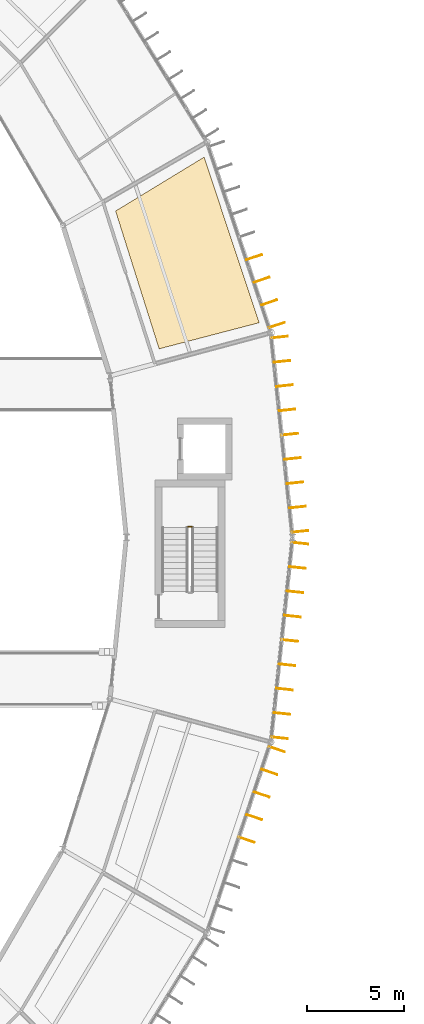
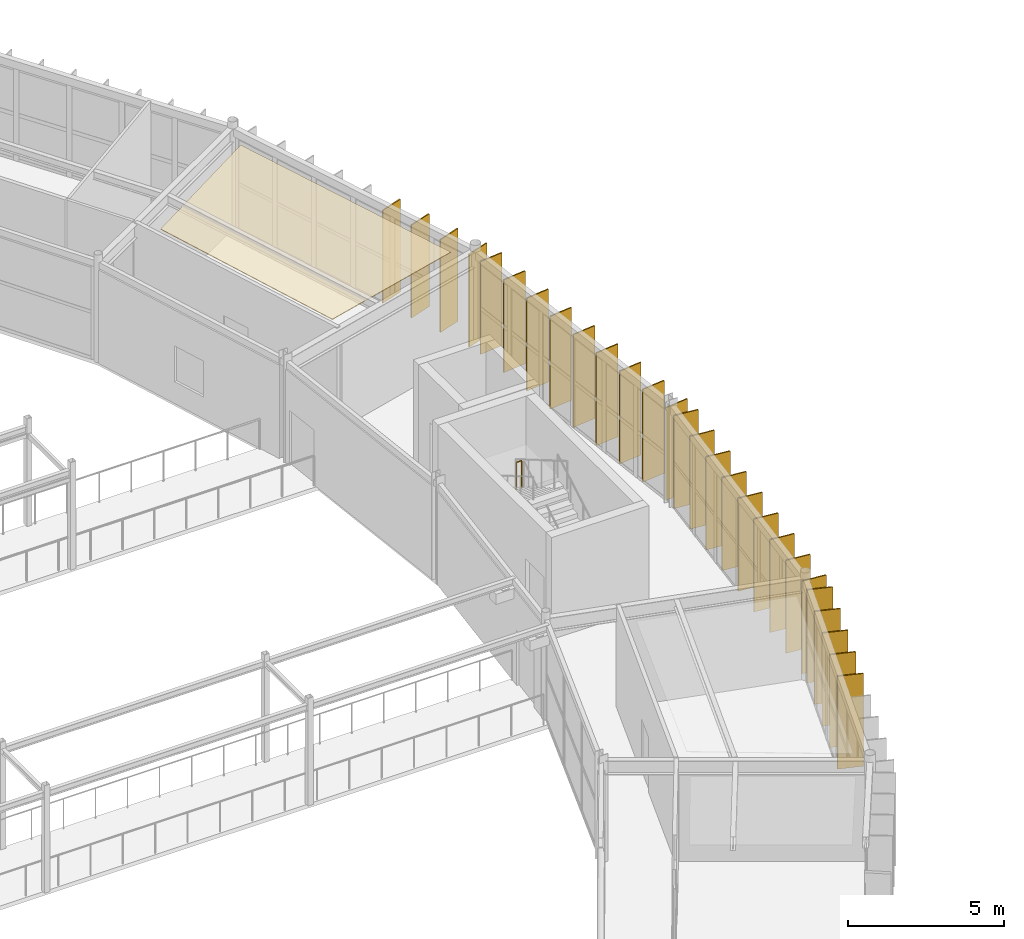
# One storey, part 142 of 148: 27 shading devices, 1 covering, 1 railing.
"""IFC4 building model written with IfcOpenShell, lengths in metres."""

import ifcopenshell
import ifcopenshell.guid

model = None  # the IFC model being written
_history = None  # IfcOwnerHistory: only IFC2X3 demands one
_inside = {}  # id of a spatial element -> (the spatial element, [elements in it])
_under = {}  # id of a project, library or spatial element -> (it, [spatial elements below it])
_declared = {}  # id of a project -> (the project, [libraries it declares])
_typed = {}  # id of a type object -> (the type object, [elements of that type])
_made_of = {}  # id of a material, layer set ... -> (it, [elements and type objects made of it])


def new_model(schema):
    """Start an empty IFC model of exactly this schema.

    Asked for "IFC4X3", IfcOpenShell would pick the latest addendum, in which some entities
    have other attributes; the version numbers below select the first issue.
    IFC2X3 requires an IfcOwnerHistory on every rooted entity: one is made here for all.
    """
    global model, _history
    if schema == "IFC4X3":
        model = ifcopenshell.file(schema_version=(4, 3, 0, 0))
    else:
        model = ifcopenshell.file(schema=schema)
    _inside.clear()
    _under.clear()
    _declared.clear()
    _typed.clear()
    _made_of.clear()
    _history = None
    if model.schema == "IFC2X3":
        org = make("IfcOrganization", Name="unknown")
        user = make(
            "IfcPersonAndOrganization",
            ThePerson=make("IfcPerson", FamilyName="unknown"),
            TheOrganization=org,
        )
        app = make(
            "IfcApplication",
            ApplicationDeveloper=org,
            Version="unknown",
            ApplicationFullName="unknown",
            ApplicationIdentifier="unknown",
        )
        _history = make(
            "IfcOwnerHistory",
            OwningUser=user,
            OwningApplication=app,
            ChangeAction="ADDED",
            CreationDate=0,
        )
    return model


def make(cls, **values):
    """One entity of the class cls with the attributes given. An attribute that is None is left unset."""
    return model.create_entity(
        cls, **{name: value for name, value in values.items() if value is not None}
    )


def rooted(cls, **values):
    """An entity with a GlobalId (a new one), such as an element, a storey or a relation."""
    return make(cls, GlobalId=ifcopenshell.guid.new(), OwnerHistory=_history, **values)


def si_unit(unit_type, name, prefix=None):
    """IfcSIUnit, for example si_unit("LENGTHUNIT", "METRE", prefix="MILLI")."""
    return make("IfcSIUnit", UnitType=unit_type, Prefix=prefix, Name=name)


def assignment(units):
    """IfcUnitAssignment: the units of a project."""
    return None if units is None else make("IfcUnitAssignment", Units=units)


def point(xyz):
    """IfcCartesianPoint."""
    return None if xyz is None else make("IfcCartesianPoint", Coordinates=xyz)


def direction(xyz):
    """IfcDirection."""
    return None if xyz is None else make("IfcDirection", DirectionRatios=xyz)


def frame(location, z_axis=None, x_axis=None):
    """IfcAxis2Placement3D, a coordinate frame: its origin and axes. An axis left out is left unset."""
    return make(
        "IfcAxis2Placement3D",
        Location=point(location),
        Axis=direction(z_axis),
        RefDirection=direction(x_axis),
    )


def frame_2d(location, x_axis=None):
    """IfcAxis2Placement2D, a coordinate frame in the plane: its origin and x axis."""
    return make(
        "IfcAxis2Placement2D", Location=point(location), RefDirection=direction(x_axis)
    )


def origin():
    """The frame at (0, 0, 0) with its axes left unset."""
    return frame((0.0, 0.0, 0.0))


def origin_2d():
    """The frame at (0, 0) in the plane with its x axis left unset."""
    return frame_2d((0.0, 0.0))


def place(relative_to, where):
    """IfcLocalPlacement: puts the frame where relative to a parent placement (None: the world)."""
    return make(
        "IfcLocalPlacement", PlacementRelTo=relative_to, RelativePlacement=where
    )


def context(
    kind, dimensions, precision=None, world=None, true_north=None, identifier=None
):
    """IfcGeometricRepresentationContext, for example the 3D "Model" context."""
    return make(
        "IfcGeometricRepresentationContext",
        ContextIdentifier=identifier,
        ContextType=kind,
        CoordinateSpaceDimension=dimensions,
        Precision=precision,
        WorldCoordinateSystem=world,
        TrueNorth=true_north,
    )


def subcontext(parent, identifier, kind, view, scale=None):
    """IfcGeometricRepresentationSubContext, for example "Body" below "Model"."""
    return make(
        "IfcGeometricRepresentationSubContext",
        ContextIdentifier=identifier,
        ContextType=kind,
        ParentContext=parent,
        TargetScale=scale,
        TargetView=view,
    )


def project(units=None, contexts=None):
    """IfcProject with its units and contexts."""
    return rooted(
        "IfcProject",
        Name="project",
        RepresentationContexts=contexts,
        UnitsInContext=assignment(units),
    )


def spatial(cls, under=None, at=None, **own):
    """A site, building, storey or space (cls), placed at a placement, below another one or the project."""
    s = rooted(cls, ObjectPlacement=at, **own)
    if under is not None:
        _under.setdefault(under.id(), (under, []))[1].append(s)
    return s


def polyline(points):
    """IfcPolyline through the points."""
    return make("IfcPolyline", Points=[point(p) for p in points])


def profile(cls, at=None, kind="AREA", **sizes):
    """A parametric profile (cls). Its sizes go by their IFC names, for example OverallWidth=200.0."""
    return make(cls, ProfileType=kind, Position=at, **sizes)


def rectangle(**sizes):
    """IfcRectangleProfileDef."""
    return profile("IfcRectangleProfileDef", **sizes)


def circle(**sizes):
    """IfcCircleProfileDef."""
    return profile("IfcCircleProfileDef", **sizes)


def outline(outer, holes=None, kind="AREA"):
    """IfcArbitraryClosedProfileDef: a profile drawn as a closed curve; with holes, ...WithVoids."""
    if holes is None:
        return make("IfcArbitraryClosedProfileDef", ProfileType=kind, OuterCurve=outer)
    return make(
        "IfcArbitraryProfileDefWithVoids",
        ProfileType=kind,
        OuterCurve=outer,
        InnerCurves=holes,
    )


def extrude(swept, where, along, depth):
    """IfcExtrudedAreaSolid: the profile swept, set in the frame where, extruded along a direction by depth."""
    return make(
        "IfcExtrudedAreaSolid",
        SweptArea=swept,
        Position=where,
        ExtrudedDirection=direction(along),
        Depth=depth,
    )


def shape(context_of_items, identifier, shape_type, items):
    """IfcShapeRepresentation: the items that make up one representation, for example the "Body"."""
    return make(
        "IfcShapeRepresentation",
        ContextOfItems=context_of_items,
        RepresentationIdentifier=identifier,
        RepresentationType=shape_type,
        Items=items,
    )


def material(Name=None, Category=None):
    """IfcMaterial."""
    return make("IfcMaterial", Name=Name, Category=Category)


def layer(
    of_material, thickness, ventilated=None, Name=None, Category=None, Priority=None
):
    """IfcMaterialLayer: one layer of a wall or slab, of a material (None: an air gap)."""
    return make(
        "IfcMaterialLayer",
        Material=of_material,
        LayerThickness=thickness,
        IsVentilated=ventilated,
        Name=Name,
        Category=Category,
        Priority=Priority,
    )


def layer_set(layers, Name=None):
    """IfcMaterialLayerSet."""
    return make("IfcMaterialLayerSet", MaterialLayers=layers, LayerSetName=Name)


def made_of(thing, what):
    """Note that an element or type object is made of a material, layer set ...; save() writes the relation."""
    if what is not None:
        _made_of.setdefault(what.id(), (what, []))[1].append(thing)
    return thing


def type_object(cls, material=None, **own):
    """A type object (cls), such as IfcWallType, which elements share."""
    return made_of(rooted(cls, **own), material)


def element(
    cls,
    number,
    at=None,
    inside=None,
    cuts=None,
    type_object=None,
    material=None,
    context=None,
    identifier="Body",
    shape_type=None,
    held_by="IfcProductDefinitionShape",
    body=None,
    shapes=None,
    **own,
):
    """One element of the class cls, such as IfcWall. Its Tag is "e" and its number.

    at: its placement. inside: the storey or other place that contains it. cuts: it is an
    opening in that element (IfcRelVoidsElement). A single representation is given by context,
    identifier, shape_type and body (its items); several are given by shapes. held_by: the class
    of the entity that holds the representations. save() writes the other relations.
    """
    e = rooted(cls, Tag="e%d" % number, ObjectPlacement=at, **own)
    if body is not None:
        shapes = [shape(context, identifier, shape_type, body)]
    if shapes is not None:
        e.Representation = make(held_by, Representations=shapes)
    if inside is not None:
        _inside.setdefault(inside.id(), (inside, []))[1].append(e)
    if cuts is not None:
        rooted(
            "IfcRelVoidsElement", RelatingBuildingElement=cuts, RelatedOpeningElement=e
        )
    if type_object is not None:
        _typed.setdefault(type_object.id(), (type_object, []))[1].append(e)
    return made_of(e, material)


def aggregate(whole, parts):
    """IfcRelAggregates: a whole, such as a stair, and the parts it consists of."""
    return rooted("IfcRelAggregates", RelatingObject=whole, RelatedObjects=parts)


def save(model, path):
    """Write the relations noted so far, then the file.

    IfcRelAggregates (storeys below a building ...), IfcRelContainedInSpatialStructure (elements
    in a storey), IfcRelDefinesByType, IfcRelAssociatesMaterial and IfcRelDeclares: one each for
    every whole, place, type object, material and project.
    """
    for whole, parts in _under.values():
        aggregate(whole, parts)
    for where, things in _inside.values():
        rooted(
            "IfcRelContainedInSpatialStructure",
            RelatedElements=things,
            RelatingStructure=where,
        )
    for kind, things in _typed.values():
        rooted("IfcRelDefinesByType", RelatedObjects=things, RelatingType=kind)
    for what, things in _made_of.values():
        rooted("IfcRelAssociatesMaterial", RelatedObjects=things, RelatingMaterial=what)
    for by, libraries in _declared.values():
        rooted("IfcRelDeclares", RelatingContext=by, RelatedDefinitions=libraries)
    model.write(path)


model = new_model("IFC4")

# Units and contexts
model_context = context("Model", 3, precision=1e-05, world=origin(), true_north=direction((0.0, 1.0)))
body_context = subcontext(model_context, "Body", "Model", "MODEL_VIEW")
ifc_project = project(units=[si_unit("LENGTHUNIT", "METRE"), si_unit("AREAUNIT", "SQUARE_METRE"), si_unit("VOLUMEUNIT", "CUBIC_METRE"), si_unit("PLANEANGLEUNIT", "RADIAN"), si_unit("MASSUNIT", "GRAM", prefix="KILO")], contexts=[model_context])

# Site, building, storey
site_placement = place(None, origin())
site = spatial("IfcSite", under=ifc_project, at=site_placement, CompositionType="ELEMENT")
building_placement = place(site_placement, origin())
building = spatial("IfcBuilding", under=site, at=building_placement, Name="Karori Crest Natural Sciences Institute", CompositionType="ELEMENT")
storey_placement = place(building_placement, frame((0.0, 0.0, 4.89990234375)))
storey = spatial("IfcBuildingStorey", under=building, at=storey_placement, Name="L01", CompositionType="ELEMENT", Elevation=4.89990234375)

# Covering
ifc_material_1 = material(Name="Acoustic mineral fibre ceiling tile")
ifc_layer_1 = layer(ifc_material_1, 0.02490234375, Name="Acoustic mineral fibre ceiling tile")
ifc_layer_set_1 = layer_set([ifc_layer_1], Name="Acoustic mineral fibre ceiling tile")
covering_type = type_object("IfcCoveringType", Name="CVT-CEIL", PredefinedType="CEILING", material=ifc_layer_set_1)
covering_placement = place(storey_placement, frame((0.0, 0.0, 3.705078125)))
element("IfcCovering", 1, at=covering_placement, inside=storey, type_object=covering_type, Name="Acoustic ceiling CLG-0054", PredefinedType="CEILING", context=body_context, shape_type="SweptSolid", body=[
    extrude(outline(polyline([(90.260009765625, 66.734130859375), (92.50341796875, 59.625244140625), (97.66162109375, 60.97265625), (94.82568359375, 69.514892578125), (90.260009765625, 66.734130859375)])), origin(), (0.0, 0.0, 1.0), 0.02490234375),
])

# Railing
ifc_material_2 = material(Name="Stainless steel 316 stair guard", Category="steel")
railing_type = type_object("IfcRailingType", Name="RLT-STG", PredefinedType="GUARDRAIL", material=ifc_material_2)
railing_placement = place(storey_placement, frame((94.199951171875, 50.449951171875, 2.10009765625)))
element("IfcRailing", 2, at=railing_placement, inside=storey, type_object=railing_type, Name="Stair guard RL-0014", PredefinedType="GUARDRAIL", context=body_context, shape_type="SweptSolid", body=[
    extrude(circle(Radius=0.02392578125, at=origin_2d()), frame((0.0, 0.0, 1.076171875), z_axis=(-1.0, 0.0, 0.0), x_axis=(0.0, -1.0, 0.0)), (0.0, 0.0, 1.0), 0.199951171875),
    extrude(circle(Radius=0.02099609375, at=origin_2d()), origin(), (0.0, 0.0, 1.0), 1.052001953125),
    extrude(circle(Radius=0.02099609375, at=origin_2d()), frame((-0.199951171875, 0.0, 0.0)), (0.0, 0.0, 1.0), 1.052001953125),
])

# Shading devices
ifc_material_3 = material(Name="Anodised architectural aluminium 6063-T6", Category="aluminium")
ifc_layer_2 = layer(ifc_material_3, 0.044921875, Name="Anodised architectural aluminium 6063-T6")
ifc_layer_set_2 = layer_set([ifc_layer_2], Name="Anodised architectural aluminium 6063-T6")
shading_device_type = type_object("IfcShadingDeviceType", Name="SDT-FIN", PredefinedType="USERDEFINED", material=ifc_layer_set_2)
for number, where, z_axis, x_axis, name in (
    (3, (98.71240234375, 60.22900390625, 0.0), (0.0, 0.0, 1.0), (0.994378673306, 0.10588226515, 0.0), "Vertical solar fin FN-0001"),
    (4, (98.845947265625, 58.975830078125, 0.0), (0.0, 0.0, 1.0), (0.994378673306, 0.10588226515, 0.0), "Vertical solar fin FN-0002"),
    (5, (98.979248046875, 57.722900390625, 0.0), (0.0, 0.0, 1.0), (0.994378673306, 0.10588226515, 0.0), "Vertical solar fin FN-0003"),
    (6, (99.11279296875, 56.4697265625, 0.0), (0.0, 0.0, 1.0), (0.994378673306, 0.10588226515, 0.0), "Vertical solar fin FN-0004"),
    (7, (99.24609375, 55.216796875, 0.0), (0.0, 0.0, 1.0), (0.994378673306, 0.10588226515, 0.0), "Vertical solar fin FN-0005"),
    (8, (99.379638671875, 53.963623046875, 0.0), (0.0, 0.0, 1.0), (0.994378673306, 0.10588226515, 0.0), "Vertical solar fin FN-0006"),
    (9, (99.51318359375, 52.71044921875, 0.0), (0.0, 0.0, 1.0), (0.994378673306, 0.10588226515, 0.0), "Vertical solar fin FN-0007"),
    (10, (99.646484375, 51.45751953125, 0.0), (0.0, 0.0, 1.0), (0.994378673306, 0.10588226515, 0.0), "Vertical solar fin FN-0008"),
    (11, (99.77978515625, 50.204345703125, 0.0), (0.0, 0.0, 1.0), (0.994378673306, 0.10588226515, 0.0), "Vertical solar fin FN-0009"),
    (12, (97.404296875, 64.35107421875, 0.0), (0.0, 0.0, 1.0), (0.948196204549, 0.317685312343, 0.0), "Vertical solar fin FN-0015"),
    (13, (97.795166015625, 63.1845703125, 0.0), (0.0, 0.0, 1.0), (0.948196204549, 0.317685312343, 0.0), "Vertical solar fin FN-0016"),
    (14, (98.18603515625, 62.01806640625, 0.0), (0.0, 0.0, 1.0), (0.948196204549, 0.317685312343, 0.0), "Vertical solar fin FN-0017"),
    (15, (98.576904296875, 60.8515625, 0.0), (0.0, 0.0, 1.0), (0.948196204549, 0.317685312343, 0.0), "Vertical solar fin FN-0018"),
    (16, (98.581787109375, 38.96337890625, 0.0), (0.0, 0.0, 1.0), (0.948196204549, -0.317685312343, 0.0), "Vertical solar fin FN-0187"),
    (17, (98.19091796875, 37.796875, 0.0), (0.0, 0.0, 1.0), (0.948196204549, -0.317685312343, 0.0), "Vertical solar fin FN-0188"),
    (18, (97.800048828125, 36.63037109375, 0.0), (0.0, 0.0, 1.0), (0.948196204549, -0.317685312343, 0.0), "Vertical solar fin FN-0189"),
    (19, (97.4091796875, 35.4638671875, 0.0), (0.0, 0.0, 1.0), (0.948196204549, -0.317685312343, 0.0), "Vertical solar fin FN-0190"),
    (20, (97.0185546875, 34.29736328125, 0.0), (0.0, 0.0, 1.0), (0.948196204549, -0.317685312343, 0.0), "Vertical solar fin FN-0191"),
    (21, (99.77978515625, 49.595703125, 0.0), (0.0, 0.0, 1.0), (0.994378488506, -0.105884000668, 0.0), "Vertical solar fin FN-0196"),
    (22, (99.646240234375, 48.340576171875, 0.0), (0.0, 0.0, 1.0), (0.994378488506, -0.105884000668, 0.0), "Vertical solar fin FN-0197"),
    (23, (99.5126953125, 47.085693359375, 0.0), (0.0, 0.0, 1.0), (0.994378488506, -0.105884000668, 0.0), "Vertical solar fin FN-0198"),
    (24, (99.37890625, 45.83056640625, 0.0), (0.0, 0.0, 1.0), (0.994378488506, -0.105884000668, 0.0), "Vertical solar fin FN-0199"),
    (25, (99.245361328125, 44.575439453125, 0.0), (0.0, 0.0, 1.0), (0.994378488506, -0.105884000668, 0.0), "Vertical solar fin FN-0200"),
    (26, (99.11181640625, 43.3203125, 0.0), (0.0, 0.0, 1.0), (0.994378488506, -0.105884000668, 0.0), "Vertical solar fin FN-0201"),
    (27, (98.97802734375, 42.0654296875, 0.0), (0.0, 0.0, 1.0), (0.994378488506, -0.105884000668, 0.0), "Vertical solar fin FN-0202"),
    (28, (98.844482421875, 40.810302734375, 0.0), (0.0, 0.0, 1.0), (0.994378488506, -0.105884000668, 0.0), "Vertical solar fin FN-0203"),
    (29, (98.710693359375, 39.555419921875, 0.0), (0.0, 0.0, 1.0), (0.994378488506, -0.105884000668, 0.0), "Vertical solar fin FN-0204"),
):
    element("IfcShadingDevice", number, at=place(storey_placement, frame(where, z_axis=z_axis, x_axis=x_axis)), inside=storey, type_object=shading_device_type, Name=name, ObjectType="SOLAR_FIN", PredefinedType="USERDEFINED", context=body_context, shape_type="SweptSolid", body=[
        extrude(rectangle(XDim=0.85009765625, YDim=0.044921875, at=origin_2d()), origin(), (0.0, 0.0, 1.0), 3.625),
    ])

save(model, "model.ifc")
